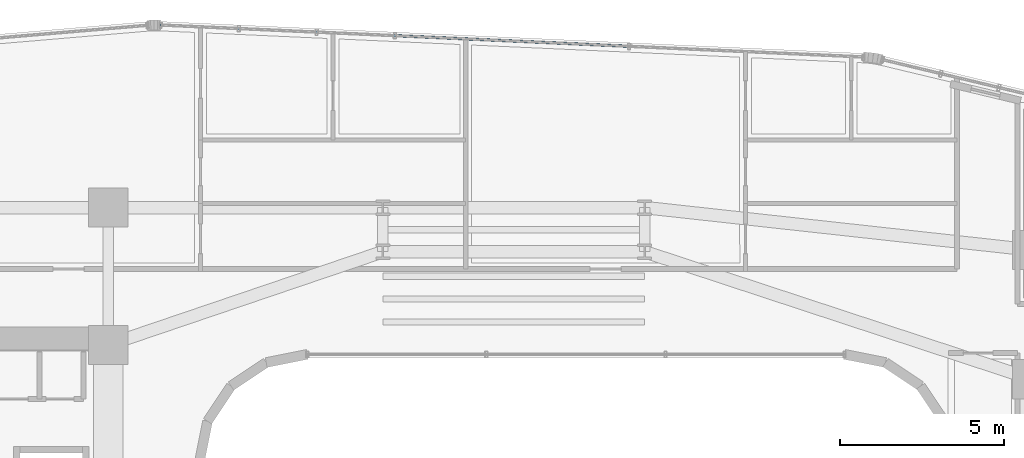
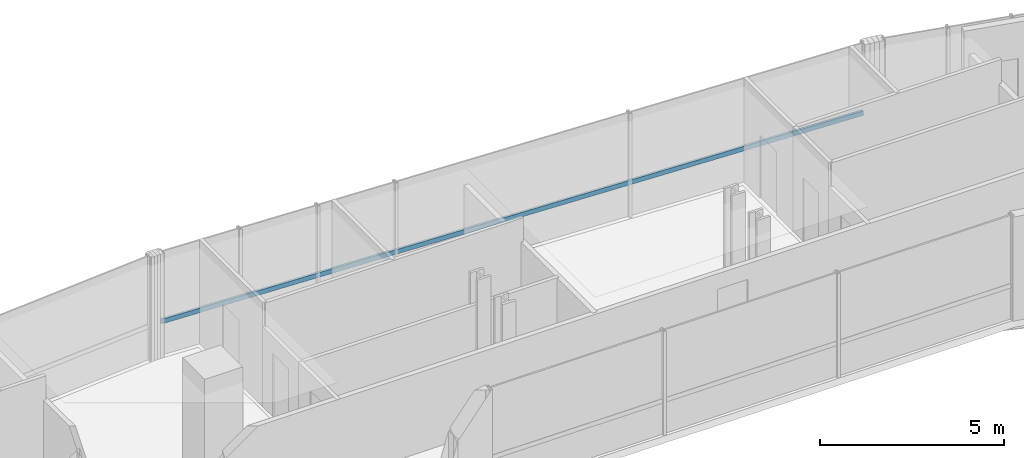
# One storey, part 21 of 36: 1 member, 1 element without a shape of its own.
"""IFC4 building model written with IfcOpenShell, lengths in metres."""

from ifc_helpers import new_model, si_unit, direction, frame, origin, origin_2d, place, context, subcontext, project, spatial, hollow_rectangle, extrude, source, transform, mapped, material, material_profile, profile_set, type_object, element, aggregate, save


model = new_model("IFC4")

# Units and contexts
model_context = context("Model", 3, precision=1e-05, world=origin(), true_north=direction((0.0, 1.0)))
body_context = subcontext(model_context, "Body", "Model", "MODEL_VIEW")
ifc_project = project(units=[si_unit("LENGTHUNIT", "METRE"), si_unit("AREAUNIT", "SQUARE_METRE"), si_unit("VOLUMEUNIT", "CUBIC_METRE"), si_unit("PLANEANGLEUNIT", "RADIAN"), si_unit("MASSUNIT", "GRAM", prefix="KILO")], contexts=[model_context])

# Site, building, storey
site_placement = place(None, origin())
site = spatial("IfcSite", under=ifc_project, at=site_placement, CompositionType="ELEMENT")
building_placement = place(site_placement, origin())
building = spatial("IfcBuilding", under=site, at=building_placement, Name="Valdorenza Pilgrim Sanctuary Tower", CompositionType="ELEMENT")
storey_placement = place(building_placement, frame((0.0, 0.0, 109.39990234375)))
storey = spatial("IfcBuildingStorey", under=building, at=storey_placement, Name="L27", CompositionType="ELEMENT", Elevation=109.39990234375)

# Curtain wall, member
ifc_material_1 = material(Name="Curtain-wall IGU glazing", Category="glass")
curtain_wall_type = type_object("IfcCurtainWallType", Name="CW-SYS-02", PredefinedType="NOTDEFINED", material=ifc_material_1)
curtain_wall_placement = place(storey_placement, origin())
curtain_wall = element("IfcCurtainWall", 1, at=curtain_wall_placement, inside=storey, type_object=curtain_wall_type, Name="L27 Curtain Wall CW-L27-1-11", PredefinedType="NOTDEFINED")
ifc_material_2 = material(Name="Anodised aluminium AW-6060", Category="aluminium")
ifc_material_profile = material_profile(ifc_material_2, hollow_rectangle(XDim=0.074951171875, YDim=0.14990234375, WallThickness=0.00390625, at=origin_2d()), Name="ALU-T 150x75x4")
ifc_profile_set = profile_set([ifc_material_profile], Name="Anodised aluminium AW-6060")
member_type = type_object("IfcMemberType", Name="CW-TRN-02", PredefinedType="USERDEFINED", material=ifc_profile_set)
shared_shape = source(origin(), body_context, "Body", "SweptSolid", [
    extrude(hollow_rectangle(XDim=0.074951171875, YDim=0.14990234375, WallThickness=0.00390625, at=origin_2d()), origin(), (0.0, 0.0, 1.0), 21.5078125),
])
member_placement = place(storey_placement, frame((-10.795654296875, 20.380615234375, 1.1201171875), z_axis=(0.99896865723, -0.045405086403, 0.0), x_axis=(0.045405086403, 0.99896865723, 0.0)))
member = element("IfcMember", 2, at=member_placement, type_object=member_type, Name="CW-L27-1-11 Transom 1", ObjectType="TRANSOM", PredefinedType="USERDEFINED", context=body_context, shape_type="MappedRepresentation", body=[
    mapped(shared_shape, transform((0.0, 0.0, 0.0), x_axis=(1.0, 0.0, 0.0), y_axis=(0.0, 1.0, 0.0), z_axis=(0.0, 0.0, 1.0), scale=1.0)),
])
aggregate(curtain_wall, [member])

save(model, "model.ifc")
